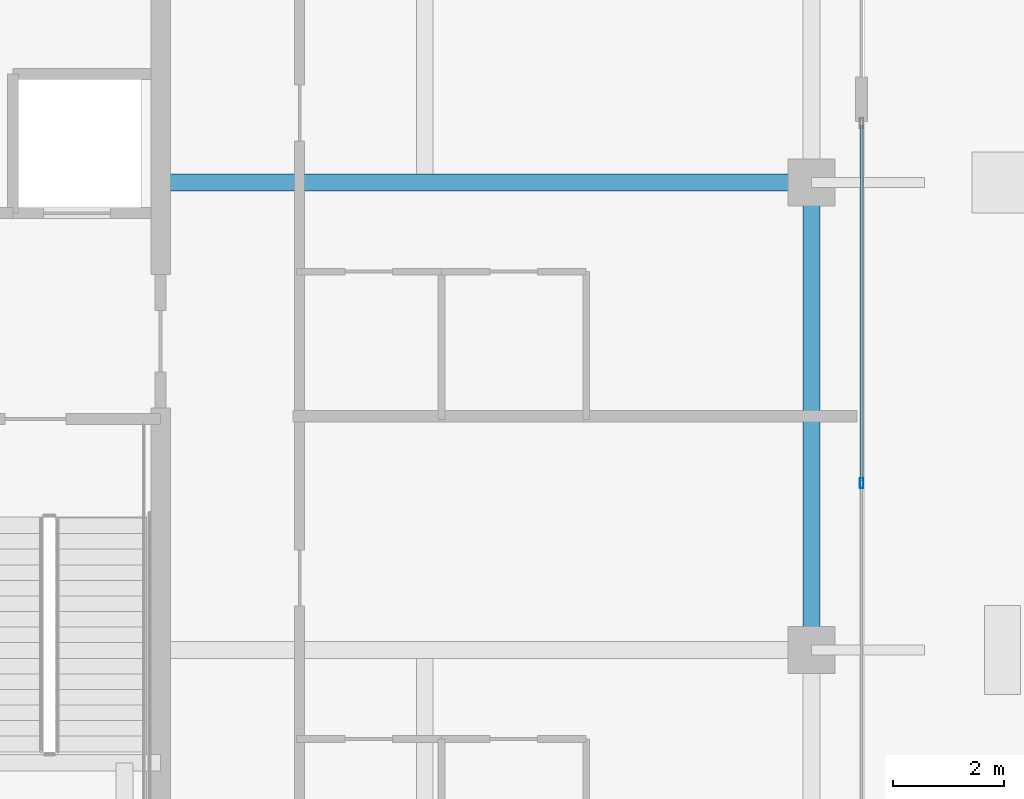
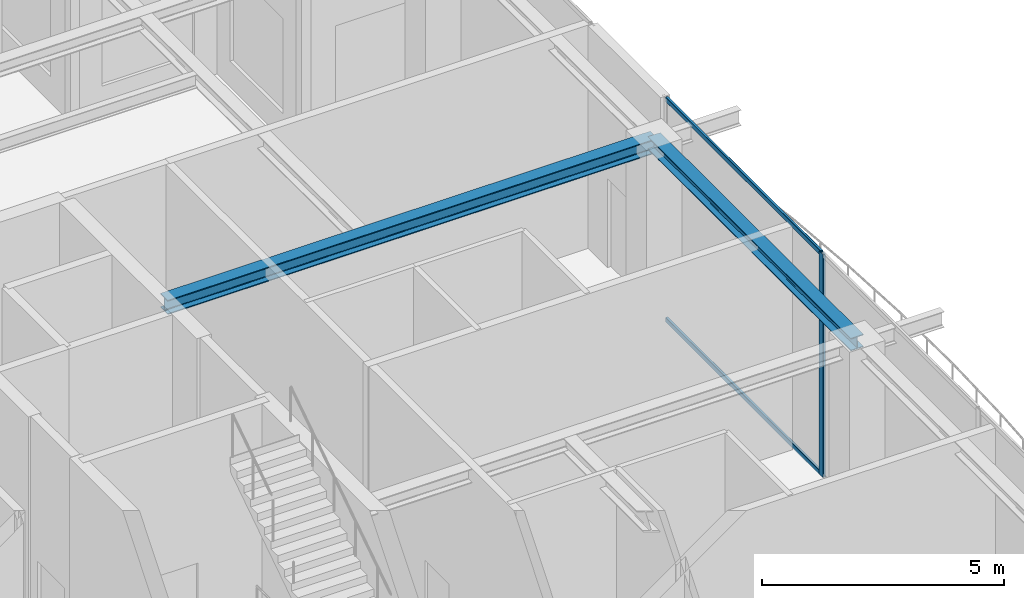
# One storey, part 17 of 40: 3 members, 2 beams, 1 element without a shape of its own.
"""IFC4 building model written with IfcOpenShell, lengths in metres."""

from ifc_helpers import new_model, si_unit, direction, frame, origin, origin_2d, place, context, subcontext, project, spatial, hollow_rectangle, i_section, extrude, source, transform, mapped, material, layer, layer_set, material_profile, profile_set, type_object, element, aggregate, save


model = new_model("IFC4")

# Units and contexts
model_context = context("Model", 3, precision=1e-05, world=origin(), true_north=direction((0.0, 1.0)))
body_context = subcontext(model_context, "Body", "Model", "MODEL_VIEW")
ifc_project = project(units=[si_unit("LENGTHUNIT", "METRE"), si_unit("AREAUNIT", "SQUARE_METRE"), si_unit("VOLUMEUNIT", "CUBIC_METRE"), si_unit("PLANEANGLEUNIT", "RADIAN"), si_unit("MASSUNIT", "GRAM", prefix="KILO")], contexts=[model_context])

# Site, building, storey
site_placement = place(None, origin())
site = spatial("IfcSite", under=ifc_project, at=site_placement, CompositionType="ELEMENT")
building_placement = place(site_placement, origin())
building = spatial("IfcBuilding", under=site, at=building_placement, Name="Serunith Strait Residences", CompositionType="ELEMENT")
storey_placement = place(building_placement, frame((0.0, 0.0, 347.949951171875)))
storey = spatial("IfcBuildingStorey", under=building, at=storey_placement, Name="L86", CompositionType="ELEMENT", Elevation=347.949951171875)

# Beams
ifc_material_1 = material(Name="Steel S355J2", Category="steel")
ifc_material_profile_1 = material_profile(ifc_material_1, i_section(OverallWidth=0.300048828125, OverallDepth=0.360107421875, WebThickness=0.012451171875, FlangeThickness=0.0224609375, FilletRadius=0.027099609375, at=origin_2d()), Name="HEB 360")
ifc_profile_set_1 = profile_set([ifc_material_profile_1], Name="Steel S355J2")
beam_type_1 = type_object("IfcBeamType", Name="BM-HEB360", PredefinedType="BEAM", material=ifc_profile_set_1)
shared_shape_1 = source(origin(), body_context, "Body", "SweptSolid", [
    extrude(i_section(OverallWidth=0.300048828125, OverallDepth=0.360107421875, WebThickness=0.012451171875, FlangeThickness=0.0224609375, FilletRadius=0.027099609375, at=origin_2d()), origin(), (0.0, 0.0, 1.0), 11.7001953125),
])
beam_1_placement = place(storey_placement, frame((41.39990234375, 29.39990234375, 5.45703125), z_axis=(1.0, 0.0, 0.0), x_axis=(0.0, 1.0, 0.0)))
element("IfcBeam", 1, at=beam_1_placement, inside=storey, type_object=beam_type_1, Name="L86 Primary Floor Girder TC-E3", PredefinedType="BEAM", context=body_context, shape_type="MappedRepresentation", body=[
    mapped(shared_shape_1, transform((0.0, 0.0, 0.0), scale=1.0)),
])
ifc_material_profile_2 = material_profile(ifc_material_1, i_section(OverallWidth=0.300048828125, OverallDepth=0.320068359375, WebThickness=0.011474609375, FlangeThickness=0.0205078125, FilletRadius=0.027099609375, at=origin_2d()), Name="HEB 320")
ifc_profile_set_2 = profile_set([ifc_material_profile_2], Name="Steel S355J2")
beam_type_2 = type_object("IfcBeamType", Name="BM-HEB320", PredefinedType="BEAM", material=ifc_profile_set_2)
shared_shape_2 = source(origin(), body_context, "Body", "SweptSolid", [
    extrude(i_section(OverallWidth=0.300048828125, OverallDepth=0.320068359375, WebThickness=0.011474609375, FlangeThickness=0.0205078125, FilletRadius=0.027099609375, at=origin_2d()), origin(), (0.0, 0.0, 1.0), 8.39990234375),
])
beam_2_placement = place(storey_placement, frame((53.10009765625, 21.0, 5.47705078125), z_axis=(0.0, 1.0, 0.0), x_axis=(-1.0, 0.0, 0.0)))
element("IfcBeam", 2, at=beam_2_placement, inside=storey, type_object=beam_type_2, Name="L86 Perimeter Ring Beam 06", PredefinedType="BEAM", context=body_context, shape_type="MappedRepresentation", body=[
    mapped(shared_shape_2, transform((0.0, 0.0, 0.0), scale=1.0)),
])

# Curtain wall, members
ifc_material_2 = material(Name="Brushed Stainless-Silver Aluminium", Category="aluminium")
ifc_layer = layer(ifc_material_2, 0.199951171875, Name="Brushed Stainless-Silver Aluminium")
ifc_layer_set = layer_set([ifc_layer], Name="Brushed Stainless-Silver Aluminium")
curtain_wall_type = type_object("IfcCurtainWallType", Name="CW-SYS5", PredefinedType="NOTDEFINED", material=ifc_layer_set)
curtain_wall_placement = place(storey_placement, origin())
curtain_wall = element("IfcCurtainWall", 3, at=curtain_wall_placement, inside=storey, type_object=curtain_wall_type, Name="L86 E Unitised Fritted Curtain Wall", PredefinedType="NOTDEFINED")
ifc_material_profile_3 = material_profile(ifc_material_2, hollow_rectangle(XDim=0.06494140625, YDim=0.179931640625, WallThickness=0.00341796875, InnerFilletRadius=0.00537109375, OuterFilletRadius=0.0087890625, at=origin_2d()), Name="ALU 180x65x3.5")
ifc_profile_set_3 = profile_set([ifc_material_profile_3], Name="Brushed Stainless-Silver Aluminium")
member_type_1 = type_object("IfcMemberType", Name="CW-SYS5-MULL", PredefinedType="MULLION", material=ifc_profile_set_3)
shared_shape_3 = source(origin(), body_context, "Body", "SweptSolid", [
    extrude(hollow_rectangle(XDim=0.06494140625, YDim=0.179931640625, WallThickness=0.00341796875, InnerFilletRadius=0.00537109375, OuterFilletRadius=0.0087890625, at=origin_2d()), origin(), (0.0, 0.0, 1.0), 5.625),
])
member_1_placement = place(storey_placement, frame((54.0, 24.0, 0.0), z_axis=(0.0, 0.0, 1.0), x_axis=(-1.0, 0.0, 0.0)))
member_1 = element("IfcMember", 4, at=member_1_placement, type_object=member_type_1, Name="CW-5 mullion 3", PredefinedType="MULLION", context=body_context, shape_type="MappedRepresentation", body=[
    mapped(shared_shape_3, transform((0.0, 0.0, 0.0), scale=1.0)),
])
ifc_material_profile_4 = material_profile(ifc_material_2, hollow_rectangle(XDim=0.06005859375, YDim=0.1201171875, WallThickness=0.00341796875, InnerFilletRadius=0.00537109375, OuterFilletRadius=0.0087890625, at=origin_2d()), Name="ALU 120x60x3.5")
ifc_profile_set_4 = profile_set([ifc_material_profile_4], Name="Brushed Stainless-Silver Aluminium")
member_type_2 = type_object("IfcMemberType", Name="CW-SYS5-TRAN", PredefinedType="USERDEFINED", material=ifc_profile_set_4)
shared_shape_4 = source(origin(), body_context, "Body", "SweptSolid", [
    extrude(hollow_rectangle(XDim=0.06005859375, YDim=0.1201171875, WallThickness=0.00341796875, InnerFilletRadius=0.00537109375, OuterFilletRadius=0.0087890625, at=origin_2d()), origin(), (0.0, 0.0, 1.0), 6.402587890625),
])
member_2_placement = place(storey_placement, frame((54.0, 24.032470703125, 0.030029296875), z_axis=(0.0, 1.0, 0.0), x_axis=(-1.0, 0.0, 0.0)))
member_2 = element("IfcMember", 5, at=member_2_placement, type_object=member_type_2, Name="CW-5 transom 3.1", ObjectType="TRANSOM", PredefinedType="USERDEFINED", context=body_context, shape_type="MappedRepresentation", body=[
    mapped(shared_shape_4, transform((0.0, 0.0, 0.0), scale=1.0)),
])
member_3_placement = place(storey_placement, frame((54.0, 24.032470703125, 5.594970703125), z_axis=(0.0, 1.0, 0.0), x_axis=(-1.0, 0.0, 0.0)))
member_3 = element("IfcMember", 6, at=member_3_placement, type_object=member_type_2, Name="CW-5 transom 3.2", ObjectType="TRANSOM", PredefinedType="USERDEFINED", context=body_context, shape_type="MappedRepresentation", body=[
    mapped(shared_shape_4, transform((0.0, 0.0, 0.0), scale=1.0)),
])
aggregate(curtain_wall, [member_1, member_2, member_3])

save(model, "model.ifc")
